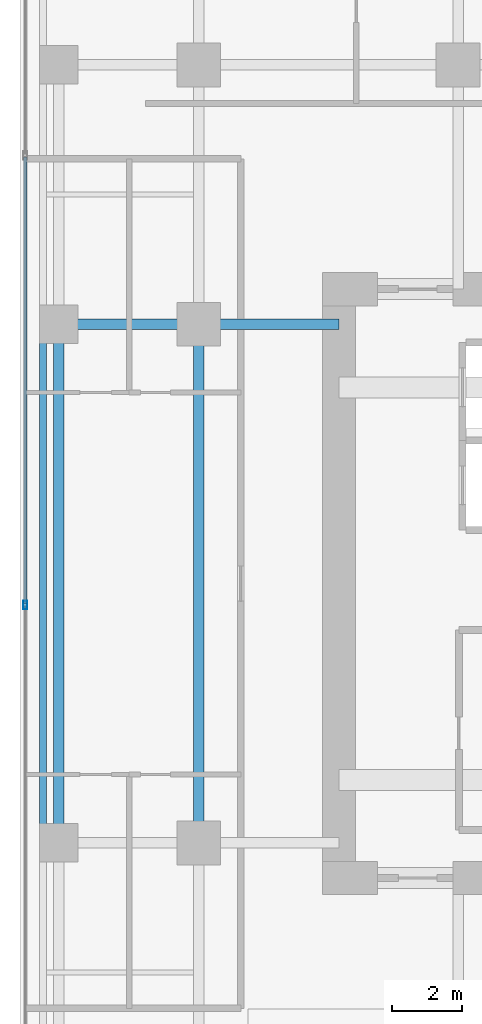
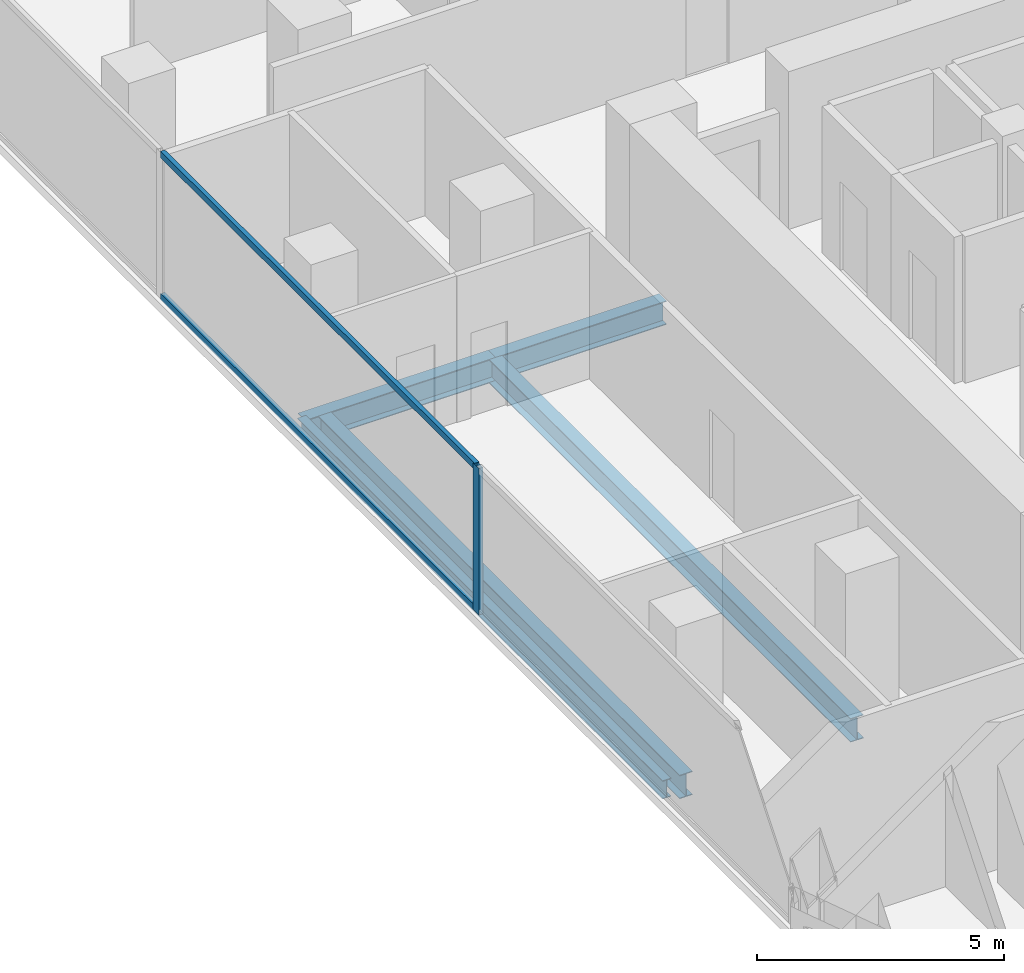
# One storey, part 6 of 27: 5 beams, 3 members, 1 element without a shape of its own.
"""IFC4 building model written with IfcOpenShell, lengths in metres."""

from ifc_helpers import new_model, si_unit, direction, frame, origin, origin_2d, place, context, subcontext, project, spatial, hollow_rectangle, i_section, extrude, material, layer, layer_set, material_profile, profile_set, type_object, element, aggregate, save


model = new_model("IFC4")

# Units and contexts
model_context = context("Model", 3, precision=1e-05, world=origin(), true_north=direction((0.0, 1.0)))
body_context = subcontext(model_context, "Body", "Model", "MODEL_VIEW")
ifc_project = project(units=[si_unit("LENGTHUNIT", "METRE"), si_unit("AREAUNIT", "SQUARE_METRE"), si_unit("VOLUMEUNIT", "CUBIC_METRE"), si_unit("PLANEANGLEUNIT", "RADIAN"), si_unit("MASSUNIT", "GRAM", prefix="KILO")], contexts=[model_context])

# Site, building, storey
site_placement = place(None, origin())
site = spatial("IfcSite", under=ifc_project, at=site_placement, CompositionType="ELEMENT")
building_placement = place(site_placement, origin())
building = spatial("IfcBuilding", under=site, at=building_placement, Name="Khorvyn Point Tower", CompositionType="ELEMENT")
storey_placement = place(building_placement, frame((0.0, 0.0, 132.89990234375)))
storey = spatial("IfcBuildingStorey", under=building, at=storey_placement, Name="L33", CompositionType="ELEMENT", Elevation=132.89990234375)

# Curtain wall, members
ifc_material_1 = material(Name="Anodised aluminium 6063-T6 and laminated Low-E glass", Category="aluminium")
ifc_layer = layer(ifc_material_1, 0.18994140625)
ifc_layer_set = layer_set([ifc_layer], Name="Stick-Built Acoustic Curtain Wall CW-SYS-03")
curtain_wall_type = type_object("IfcCurtainWallType", Name="Stick-Built Acoustic Curtain Wall CW-SYS-03", PredefinedType="NOTDEFINED", material=ifc_layer_set)
curtain_wall_placement = place(storey_placement, origin())
curtain_wall = element("IfcCurtainWall", 1, at=curtain_wall_placement, inside=storey, type_object=curtain_wall_type, Name="Curtain Wall", PredefinedType="NOTDEFINED")
ifc_material_2 = material(Name="Anodised aluminium 6063-T6", Category="aluminium")
ifc_material_profile_1 = material_profile(ifc_material_2, hollow_rectangle(XDim=0.10009765625, YDim=0.239990234375, WallThickness=0.0048828125, at=origin_2d()))
ifc_profile_set_1 = profile_set([ifc_material_profile_1], Name="Anodised aluminium 6063-T6 ALU-MUL-100x240")
member_type_1 = type_object("IfcMemberType", Name="Anodised Aluminium 6063-T6 Mullion ALU-MUL-100x240", PredefinedType="MULLION", material=ifc_profile_set_1)
member_1_placement = place(storey_placement, frame((-19.75, -0.61669921875, 0.0), z_axis=(0.0, 0.0, 1.0), x_axis=(-1.0, 0.0, 0.0)))
member_1 = element("IfcMember", 2, at=member_1_placement, type_object=member_type_1, Name="Transom", PredefinedType="MULLION", context=body_context, shape_type="SweptSolid", body=[
    extrude(hollow_rectangle(XDim=0.10009765625, YDim=0.239990234375, WallThickness=0.0048828125, at=origin_2d()), origin(), (0.0, 0.0, 1.0), 3.6201171875),
])
ifc_material_profile_2 = material_profile(ifc_material_2, hollow_rectangle(XDim=0.10009765625, YDim=0.159912109375, WallThickness=0.00439453125, at=origin_2d()))
ifc_profile_set_2 = profile_set([ifc_material_profile_2], Name="Anodised aluminium 6063-T6 ALU-TRN-100x160")
member_type_2 = type_object("IfcMemberType", Name="Anodised Aluminium 6063-T6 Transom ALU-TRN-100x160", PredefinedType="USERDEFINED", material=ifc_profile_set_2)
member_2_placement = place(storey_placement, frame((-19.75, -0.566650390625, 0.050048828125), z_axis=(0.0, 1.0, 0.0), x_axis=(-1.0, 0.0, 0.0)))
member_2 = element("IfcMember", 3, at=member_2_placement, type_object=member_type_2, Name="Transom", ObjectType="TRANSOM", PredefinedType="USERDEFINED", context=body_context, shape_type="SweptSolid", body=[
    extrude(hollow_rectangle(XDim=0.10009765625, YDim=0.159912109375, WallThickness=0.00439453125, at=origin_2d()), origin(), (0.0, 0.0, 1.0), 12.7333984375),
])
member_3_placement = place(storey_placement, frame((-19.75, -0.566650390625, 3.570068359375), z_axis=(0.0, 1.0, 0.0), x_axis=(-1.0, 0.0, 0.0)))
member_3 = element("IfcMember", 4, at=member_3_placement, type_object=member_type_2, Name="Transom", ObjectType="TRANSOM", PredefinedType="USERDEFINED", context=body_context, shape_type="SweptSolid", body=[
    extrude(hollow_rectangle(XDim=0.10009765625, YDim=0.159912109375, WallThickness=0.00439453125, at=origin_2d()), origin(), (0.0, 0.0, 1.0), 12.7333984375),
])
aggregate(curtain_wall, [member_1, member_2, member_3])

# Beams
ifc_material_3 = material(Name="Steel S355", Category="steel")
ifc_material_profile_3 = material_profile(ifc_material_3, i_section(OverallWidth=0.300048828125, OverallDepth=0.587890625, WebThickness=0.011962890625, FlangeThickness=0.02001953125, at=origin_2d()))
ifc_profile_set_3 = profile_set([ifc_material_profile_3], Name="Steel S355 H588x300x12x20")
beam_type_1 = type_object("IfcBeamType", Name="Steel S355 Beam H588x300x12x20", PredefinedType="BEAM", material=ifc_profile_set_3)
beam_1_placement = place(storey_placement, frame((-19.25, 7.39990234375, -0.513916015625), z_axis=(1.0, 0.0, 0.0), x_axis=(0.0, 1.0, 0.0)))
element("IfcBeam", 5, at=beam_1_placement, inside=storey, type_object=beam_type_1, Name="Beam", PredefinedType="BEAM", context=body_context, shape_type="SweptSolid", body=[
    extrude(i_section(OverallWidth=0.300048828125, OverallDepth=0.587890625, WebThickness=0.011962890625, FlangeThickness=0.02001953125, at=origin_2d()), origin(), (0.0, 0.0, 1.0), 4.449951171875),
])
beam_2_placement = place(storey_placement, frame((-14.800048828125, 7.39990234375, -0.513916015625), z_axis=(1.0, 0.0, 0.0), x_axis=(0.0, 1.0, 0.0)))
element("IfcBeam", 6, at=beam_2_placement, inside=storey, type_object=beam_type_1, Name="Beam", PredefinedType="BEAM", context=body_context, shape_type="SweptSolid", body=[
    extrude(i_section(OverallWidth=0.300048828125, OverallDepth=0.587890625, WebThickness=0.011962890625, FlangeThickness=0.02001953125, at=origin_2d()), origin(), (0.0, 0.0, 1.0), 4.0),
])
for number, where, z_axis, x_axis, name in (
    (7, (-14.800048828125, -7.39990234375, -0.513916015625), (0.0, 1.0, 0.0), (-1.0, 0.0, 0.0), "Beam"),
    (8, (-18.800048828125, -7.39990234375, -0.513916015625), (0.0, 1.0, 0.0), (-1.0, 0.0, 0.0), "Beam"),
):
    element("IfcBeam", number, at=place(storey_placement, frame(where, z_axis=z_axis, x_axis=x_axis)), inside=storey, type_object=beam_type_1, Name=name, PredefinedType="BEAM", context=body_context, shape_type="SweptSolid", body=[
        extrude(i_section(OverallWidth=0.300048828125, OverallDepth=0.587890625, WebThickness=0.011962890625, FlangeThickness=0.02001953125, at=origin_2d()), origin(), (0.0, 0.0, 1.0), 14.7998046875),
    ])
ifc_material_profile_4 = material_profile(ifc_material_3, i_section(OverallWidth=0.199951171875, OverallDepth=0.449951171875, WebThickness=0.009033203125, FlangeThickness=0.013916015625, at=origin_2d()))
ifc_profile_set_4 = profile_set([ifc_material_profile_4], Name="Steel S355 H450x200x9x14")
beam_type_2 = type_object("IfcBeamType", Name="Steel S355 Spandrel H450x200x9x14", PredefinedType="SPANDREL", material=ifc_profile_set_4)
beam_3_placement = place(storey_placement, frame((-19.25, -7.39990234375, -0.44482421875), z_axis=(0.0, 1.0, 0.0), x_axis=(-1.0, 0.0, 0.0)))
element("IfcBeam", 9, at=beam_3_placement, inside=storey, type_object=beam_type_2, Name="Beam", PredefinedType="SPANDREL", context=body_context, shape_type="SweptSolid", body=[
    extrude(i_section(OverallWidth=0.199951171875, OverallDepth=0.449951171875, WebThickness=0.009033203125, FlangeThickness=0.013916015625, at=origin_2d()), origin(), (0.0, 0.0, 1.0), 14.7998046875),
])

save(model, "model.ifc")
